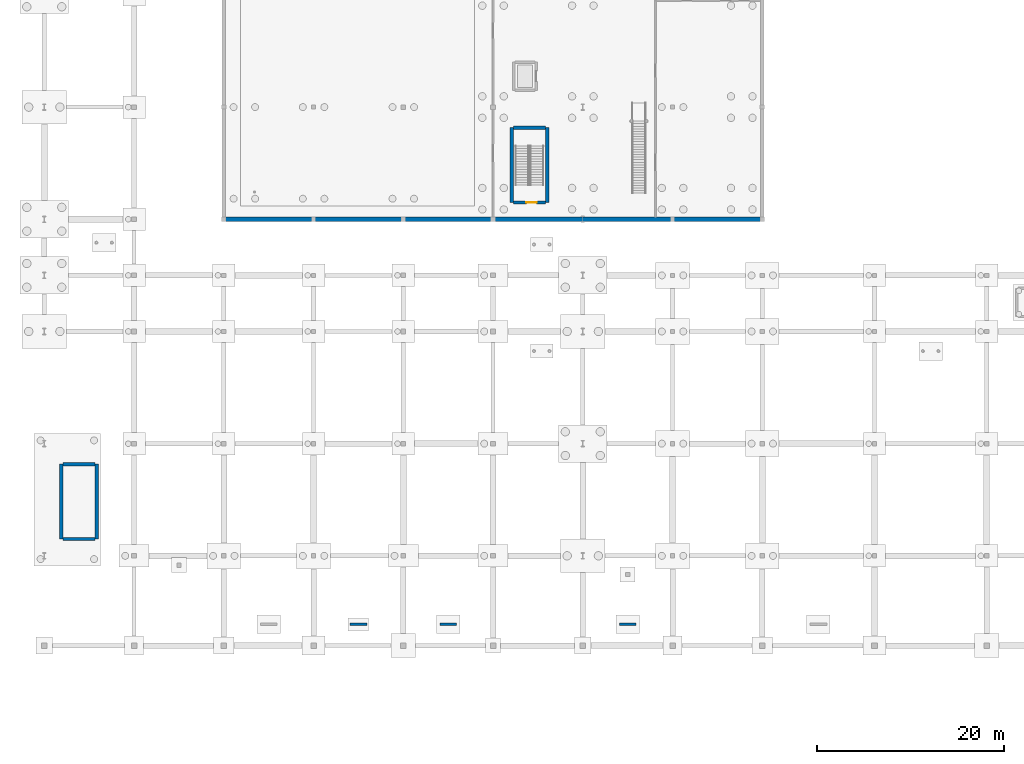
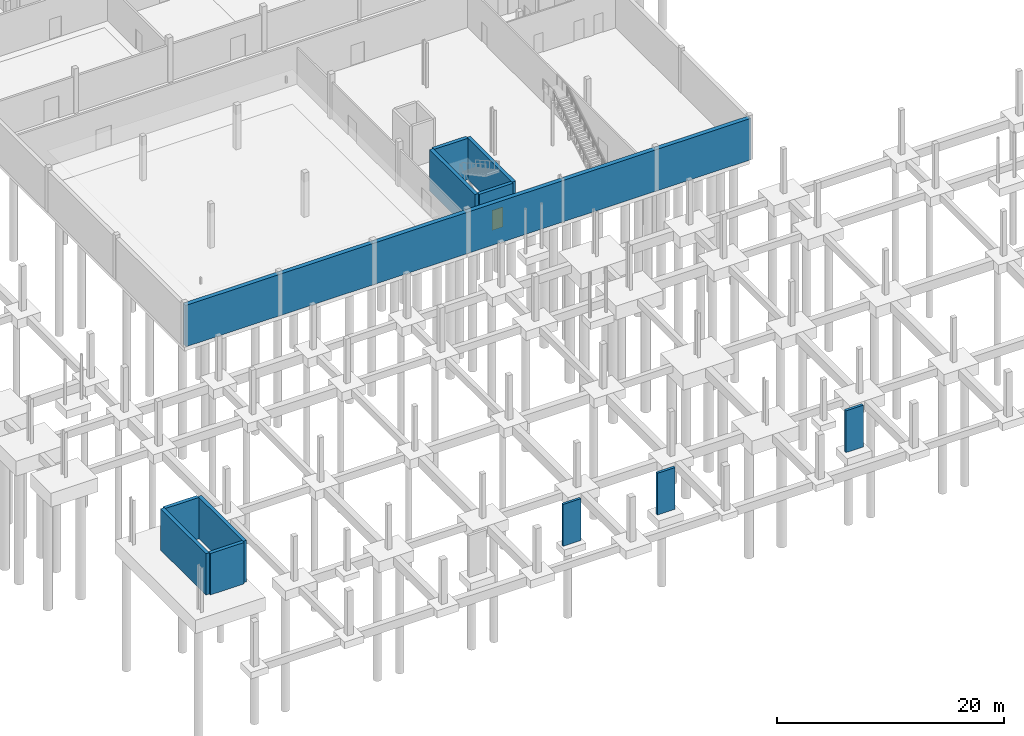
# One storey, part 22 of 31: 12 walls, 1 door, 1 opening.
"""IFC4 building model written with IfcOpenShell, lengths in metres."""

from ifc_helpers import new_model, si_unit, direction, frame, frame_2d, origin, place, context, subcontext, project, spatial, rectangle, extrude, material, layer, layer_set, type_object, element, fill, save


model = new_model("IFC4")

# Units and contexts
model_context = context("Model", 3, precision=1e-05, world=origin(), true_north=direction((0.0, 1.0)))
body_context = subcontext(model_context, "Body", "Model", "MODEL_VIEW")
ifc_project = project(units=[si_unit("LENGTHUNIT", "METRE"), si_unit("AREAUNIT", "SQUARE_METRE"), si_unit("VOLUMEUNIT", "CUBIC_METRE"), si_unit("PLANEANGLEUNIT", "RADIAN"), si_unit("MASSUNIT", "GRAM", prefix="KILO")], contexts=[model_context])

# Site, building, storey
site_placement = place(None, origin())
site = spatial("IfcSite", under=ifc_project, at=site_placement, CompositionType="ELEMENT")
building_placement = place(site_placement, origin())
building = spatial("IfcBuilding", under=site, at=building_placement, Name="Merenkruunu Market Hall", CompositionType="ELEMENT")
storey_placement = place(building_placement, frame((0.0, 0.0, -4.800048828125)))
storey = spatial("IfcBuildingStorey", under=building, at=storey_placement, Name="B1", CompositionType="ELEMENT", Elevation=-4.800048828125)

# Walls
ifc_material_1 = material(Name="Concrete C35/45", Category="concrete")
ifc_layer_1 = layer(ifc_material_1, 0.43994140625)
ifc_layer_set_1 = layer_set([ifc_layer_1], Name="Concrete C35/45")
wall_type_1 = type_object("IfcWallType", Name="Basement Retaining Wall RW01", PredefinedType="USERDEFINED", material=ifc_layer_set_1)
wall_1_placement = place(storey_placement, frame((19.199951171875, 51.60009765625, 0.0), z_axis=(0.0, 0.0, 1.0), x_axis=(1.0, 0.0, 0.0)))
element("IfcWall", 1, at=wall_1_placement, inside=storey, type_object=wall_type_1, Name="WALL-B1-RW-01", ObjectType="RETAININGWALL", PredefinedType="USERDEFINED", context=body_context, shape_type="SweptSolid", body=[
    extrude(rectangle(XDim=57.60009765625, YDim=0.43994140625, at=frame_2d((28.800048828125, 0.0))), origin(), (0.0, 0.0, 1.0), 4.4599609375),
])
ifc_layer_2 = layer(ifc_material_1, 0.360107421875)
ifc_layer_set_2 = layer_set([ifc_layer_2], Name="Concrete C35/45")
wall_type_2 = type_object("IfcWallType", Name="Structural Shear Wall SW01", PredefinedType="SHEAR", material=ifc_layer_set_2)
wall_2_placement = place(storey_placement, frame((5.419921875, 17.39990234375, 0.0), z_axis=(0.0, 0.0, 1.0), x_axis=(-1.0, 0.0, 0.0)))
element("IfcWall", 2, at=wall_2_placement, inside=storey, type_object=wall_type_2, Name="WALL-CORE-K2-B1-S", PredefinedType="SHEAR", context=body_context, shape_type="SweptSolid", body=[
    extrude(rectangle(XDim=3.43994140625, YDim=0.360107421875, at=frame_2d((1.719970703125, 0.0))), origin(), (0.0, 0.0, 1.0), 4.4599609375),
])
wall_3_placement = place(storey_placement, frame((5.60009765625, 17.39990234375, 0.0), z_axis=(0.0, 0.0, 1.0), x_axis=(0.0, 1.0, 0.0)))
element("IfcWall", 3, at=wall_3_placement, inside=storey, type_object=wall_type_2, Name="WALL-CORE-K2-B1-E", PredefinedType="SHEAR", context=body_context, shape_type="SweptSolid", body=[
    extrude(rectangle(XDim=8.0, YDim=0.360107421875, at=frame_2d((4.0, 0.0))), origin(), (0.0, 0.0, 1.0), 4.4599609375),
])
wall_4_placement = place(storey_placement, frame((5.419921875, 25.39990234375, 0.0), z_axis=(0.0, 0.0, 1.0), x_axis=(-1.0, 0.0, 0.0)))
element("IfcWall", 4, at=wall_4_placement, inside=storey, type_object=wall_type_2, Name="WALL-CORE-K2-B1-N", PredefinedType="SHEAR", context=body_context, shape_type="SweptSolid", body=[
    extrude(rectangle(XDim=3.43994140625, YDim=0.360107421875, at=frame_2d((1.719970703125, 0.0))), origin(), (0.0, 0.0, 1.0), 4.4599609375),
])
wall_5_placement = place(storey_placement, frame((1.800048828125, 25.39990234375, 0.0), z_axis=(0.0, 0.0, 1.0), x_axis=(0.0, -1.0, 0.0)))
element("IfcWall", 5, at=wall_5_placement, inside=storey, type_object=wall_type_2, Name="WALL-CORE-K2-B1-W", PredefinedType="SHEAR", context=body_context, shape_type="SweptSolid", body=[
    extrude(rectangle(XDim=8.0, YDim=0.360107421875, at=frame_2d((4.0, 0.0))), origin(), (0.0, 0.0, 1.0), 4.4599609375),
])

# Wall, opening, door
wall_6_placement = place(storey_placement, frame((53.6201171875, 53.39990234375, 0.0), z_axis=(0.0, 0.0, 1.0), x_axis=(-1.0, 0.0, 0.0)))
wall_6 = element("IfcWall", 6, at=wall_6_placement, inside=storey, type_object=wall_type_2, Name="WALL-CORE-K3-B1-S", PredefinedType="SHEAR", context=body_context, shape_type="SweptSolid", body=[
    extrude(rectangle(XDim=3.440185546875, YDim=0.360107421875, at=frame_2d((1.72021484375, 0.0))), origin(), (0.0, 0.0, 1.0), 4.4599609375),
])
opening_placement = place(wall_6_placement, frame((0.949951171875, 0.0, 0.0)))
opening = element("IfcOpeningElement", 7, at=opening_placement, cuts=wall_6, Name="Opening FD02", PredefinedType="OPENING", context=body_context, shape_type="SweptSolid", body=[
    extrude(rectangle(XDim=1.10009765625, YDim=2.14990234375, at=frame_2d((0.550048828125, 1.074951171875))), frame((0.0, 0.18994140625, 0.0), z_axis=(0.0, -1.0, 0.0), x_axis=(1.0, 0.0, 0.0)), (0.0, 0.0, 1.0), 0.380126953125),
])
ifc_material_2 = material(Name="Powder-coated aluminium", Category="aluminium")
door_type = type_object("IfcDoorType", Name="Fire Compartment Door FD02", OperationType="NOTDEFINED", PredefinedType="DOOR", material=ifc_material_2)
door_placement = place(opening_placement, origin())
door = element("IfcDoor", 8, at=door_placement, inside=storey, type_object=door_type, Name="DR-B1-104", OperationType="SINGLE_SWING_RIGHT", OverallHeight=2.14990234375, OverallWidth=1.10009765625, PredefinedType="DOOR", context=body_context, shape_type="SweptSolid", body=[
    extrude(rectangle(XDim=1.10009765625, YDim=2.14990234375, at=frame_2d((0.550048828125, 1.074951171875))), frame((0.0, 0.02490234375, 0.0), z_axis=(0.0, -1.0, 0.0), x_axis=(1.0, 0.0, 0.0)), (0.0, 0.0, 1.0), 0.050048828125),
])
fill(opening, door)

# Walls
wall_7_placement = place(storey_placement, frame((53.800048828125, 53.39990234375, 0.0), z_axis=(0.0, 0.0, 1.0), x_axis=(0.0, 1.0, 0.0)))
element("IfcWall", 9, at=wall_7_placement, inside=storey, type_object=wall_type_2, Name="WALL-CORE-K3-B1-E", PredefinedType="SHEAR", context=body_context, shape_type="SweptSolid", body=[
    extrude(rectangle(XDim=8.0, YDim=0.360107421875, at=frame_2d((4.0, 0.0))), origin(), (0.0, 0.0, 1.0), 4.4599609375),
])
wall_8_placement = place(storey_placement, frame((53.6201171875, 61.39990234375, 0.0), z_axis=(0.0, 0.0, 1.0), x_axis=(-1.0, 0.0, 0.0)))
element("IfcWall", 10, at=wall_8_placement, inside=storey, type_object=wall_type_2, Name="WALL-CORE-K3-B1-N", PredefinedType="SHEAR", context=body_context, shape_type="SweptSolid", body=[
    extrude(rectangle(XDim=3.440185546875, YDim=0.360107421875, at=frame_2d((1.72021484375, 0.0))), origin(), (0.0, 0.0, 1.0), 4.4599609375),
])
wall_9_placement = place(storey_placement, frame((50.0, 61.39990234375, 0.0), z_axis=(0.0, 0.0, 1.0), x_axis=(0.0, -1.0, 0.0)))
element("IfcWall", 11, at=wall_9_placement, inside=storey, type_object=wall_type_2, Name="WALL-CORE-K3-B1-W", PredefinedType="SHEAR", context=body_context, shape_type="SweptSolid", body=[
    extrude(rectangle(XDim=8.0, YDim=0.360107421875, at=frame_2d((4.0, 0.0))), origin(), (0.0, 0.0, 1.0), 4.4599609375),
])
ifc_layer_3 = layer(ifc_material_1, 0.260009765625)
ifc_layer_set_3 = layer_set([ifc_layer_3], Name="Concrete C35/45")
wall_type_3 = type_object("IfcWallType", Name="Structural Shear Wall SW03", PredefinedType="SHEAR", material=ifc_layer_set_3)
for number, where, z_axis, x_axis, name in (
    (12, (32.699951171875, 8.27001953125, 0.0), (0.0, 0.0, 1.0), (1.0, 0.0, 0.0), "WALL-RMPABUT-02"),
    (13, (42.300048828125, 8.27001953125, 0.0), (0.0, 0.0, 1.0), (1.0, 0.0, 0.0), "WALL-RMPABUT-03"),
    (14, (61.5, 8.27001953125, 0.0), (0.0, 0.0, 1.0), (1.0, 0.0, 0.0), "WALL-RMPABUT-04"),
):
    element("IfcWall", number, at=place(storey_placement, frame(where, z_axis=z_axis, x_axis=x_axis)), inside=storey, type_object=wall_type_3, Name=name, PredefinedType="SHEAR", context=body_context, shape_type="SweptSolid", body=[
        extrude(rectangle(XDim=1.800048828125, YDim=0.260009765625, at=frame_2d((0.89990234375, 0.0))), origin(), (0.0, 0.0, 1.0), 4.5),
    ])

save(model, "model.ifc")
